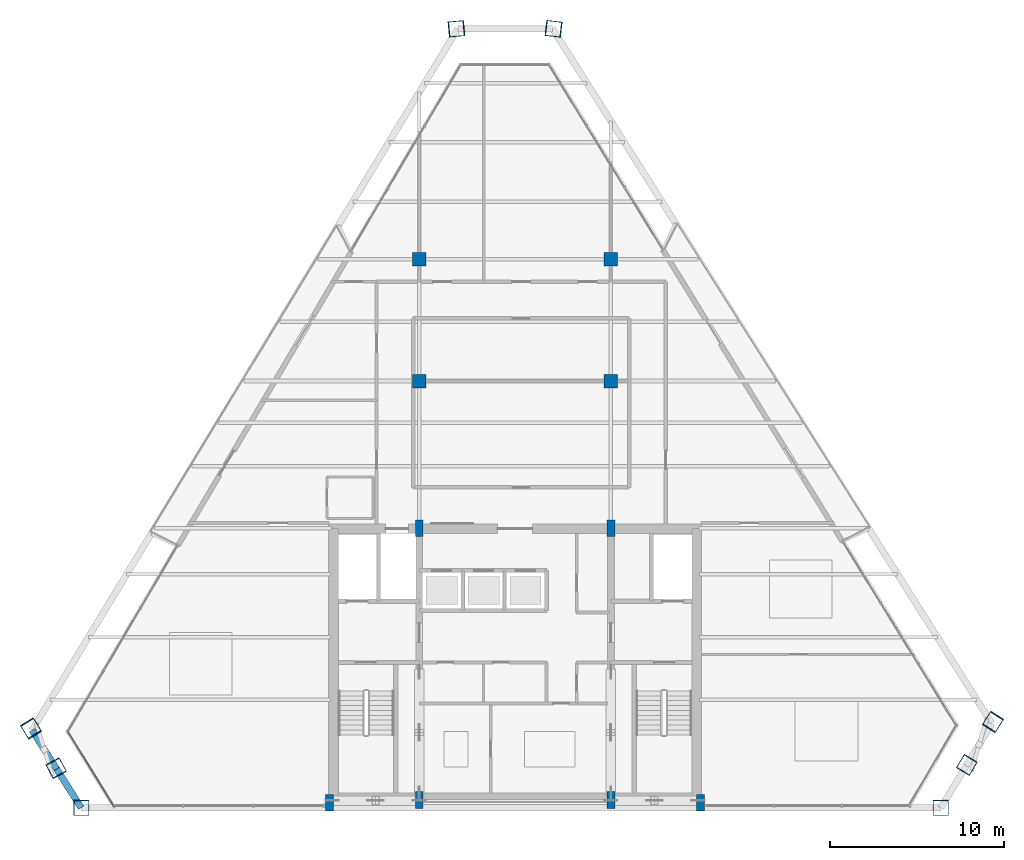
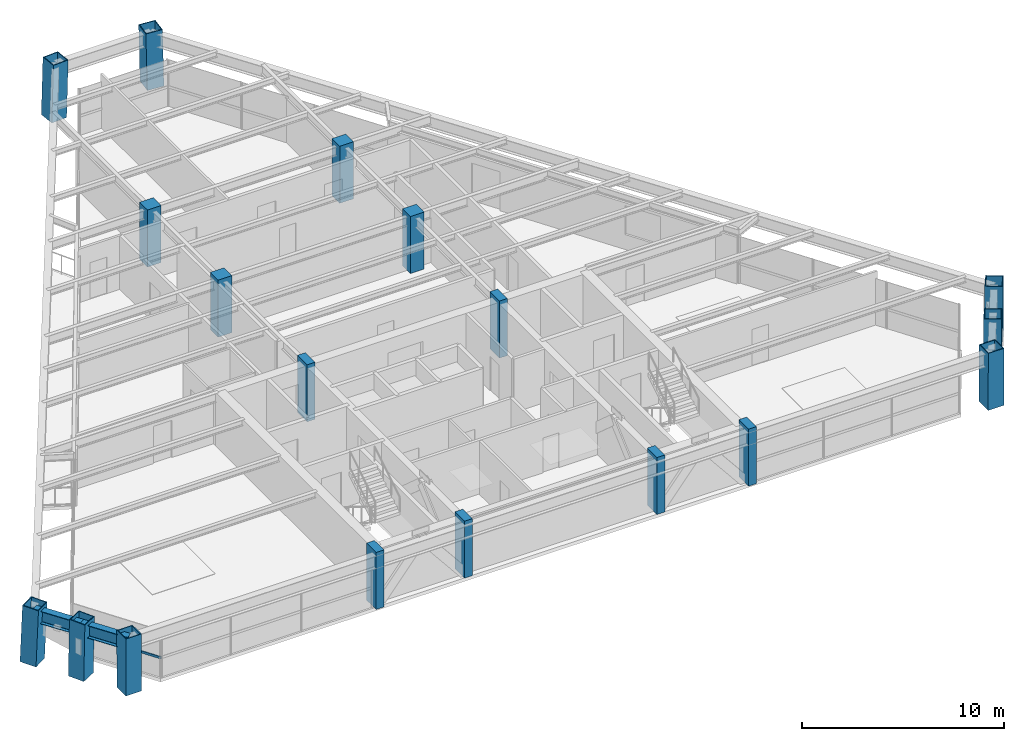
# One storey, part 1 of 14: 18 columns, 2 beams, 1 member, 1 element without a shape of its own.
"""IFC4 building model written with IfcOpenShell, lengths in metres."""

from ifc_helpers import new_model, si_unit, direction, frame, origin, origin_2d, place, context, subcontext, project, spatial, rectangle, hollow_rectangle, i_section, extrude, source, transform, mapped, material, material_profile, profile_set, type_object, element, aggregate, save


model = new_model("IFC4")

# Units and contexts
model_context = context("Model", 3, precision=1e-05, world=origin(), true_north=direction((0.0, 1.0)))
body_context = subcontext(model_context, "Body", "Model", "MODEL_VIEW")
ifc_project = project(units=[si_unit("LENGTHUNIT", "METRE"), si_unit("AREAUNIT", "SQUARE_METRE"), si_unit("VOLUMEUNIT", "CUBIC_METRE"), si_unit("PLANEANGLEUNIT", "RADIAN"), si_unit("MASSUNIT", "GRAM", prefix="KILO")], contexts=[model_context])

# Site, building, storey
site_placement = place(None, origin())
site = spatial("IfcSite", under=ifc_project, at=site_placement, CompositionType="ELEMENT")
building_placement = place(site_placement, origin())
building = spatial("IfcBuilding", under=site, at=building_placement, Name="Varnakhor Terracotta Tower", CompositionType="ELEMENT")
storey_placement = place(building_placement, frame((0.0, 0.0, 240.699951171875)))
storey = spatial("IfcBuildingStorey", under=building, at=storey_placement, Name="L62", CompositionType="ELEMENT", Elevation=240.699951171875)

# Columns
ifc_material_1 = material(Name="Concrete C50/60", Category="concrete")
ifc_material_profile_1 = material_profile(ifc_material_1, rectangle(XDim=0.449951171875, YDim=0.949951171875, at=origin_2d()), Name="RC PILASTER 950x450")
ifc_profile_set_1 = profile_set([ifc_material_profile_1], Name="Concrete C50/60")
column_type_1 = type_object("IfcColumnType", Name="COL-PIL-950x450", PredefinedType="PILASTER", material=ifc_profile_set_1)
shared_shape_1 = source(origin(), body_context, "Body", "SweptSolid", [
    extrude(rectangle(XDim=0.449951171875, YDim=0.949951171875, at=origin_2d()), origin(), (0.0, 0.0, 1.0), 3.449951171875),
])
for number, where, z_axis, x_axis, name in (
    (1, (-10.64990234375, 0.300048828125, 0.0), (0.0, 0.0, 1.0), (1.0, 0.0, 0.0), "L62 Core Pilaster CP1"),
    (2, (-5.5, 0.449951171875, 0.0), (0.0, 0.0, 1.0), (1.0, 0.0, 0.0), "L62 Core Pilaster CP2"),
    (3, (5.5, 0.449951171875, 0.0), (0.0, 0.0, 1.0), (1.0, 0.0, 0.0), "L62 Core Pilaster CP3"),
    (4, (10.64990234375, 0.300048828125, 0.0), (0.0, 0.0, 1.0), (1.0, 0.0, 0.0), "L62 Core Pilaster CP4"),
    (5, (-5.5, 16.050048828125, 0.0), (0.0, 0.0, 1.0), (1.0, 0.0, 0.0), "L62 Core Pilaster CP5"),
    (6, (5.5, 16.050048828125, 0.0), (0.0, 0.0, 1.0), (1.0, 0.0, 0.0), "L62 Core Pilaster CP6"),
):
    element("IfcColumn", number, at=place(storey_placement, frame(where, z_axis=z_axis, x_axis=x_axis)), inside=storey, type_object=column_type_1, Name=name, PredefinedType="PILASTER", context=body_context, shape_type="MappedRepresentation", body=[
        mapped(shared_shape_1, transform((0.0, 0.0, 0.0), scale=1.0)),
    ])
ifc_material_2 = material(Name="Steel S460", Category="steel")
ifc_material_profile_2 = material_profile(ifc_material_2, hollow_rectangle(XDim=0.89990234375, YDim=0.89990234375, WallThickness=0.044921875, at=origin_2d()), Name="BOX 900x900x45")
ifc_profile_set_2 = profile_set([ifc_material_profile_2], Name="Steel S460")
column_type_2 = type_object("IfcColumnType", Name="COL-MEGA-900", PredefinedType="COLUMN", material=ifc_profile_set_2)
shared_shape_2 = source(origin(), body_context, "Body", "SweptSolid", [
    extrude(hollow_rectangle(XDim=0.89990234375, YDim=0.89990234375, WallThickness=0.044921875, at=origin_2d()), origin(), (0.0, 0.0, 1.0), 3.441162109375),
])
for number, where, z_axis, x_axis, name in (
    (7, (-24.896484375, 0.0, 0.00439453125), (-0.002837874348, 0.0, 0.999995973226), (0.0, -1.0, 0.0), "L62 Perimeter Mega-Column M1"),
    (8, (24.434814453125, 0.0, 0.00439453125), (0.000993259531, 0.0, 0.999999506718), (1.0, 0.0, 0.0), "L62 Perimeter Mega-Column M2"),
):
    element("IfcColumn", number, at=place(storey_placement, frame(where, z_axis=z_axis, x_axis=x_axis)), inside=storey, type_object=column_type_2, Name=name, PredefinedType="COLUMN", context=body_context, shape_type="MappedRepresentation", body=[
        mapped(shared_shape_2, transform((0.0, 0.0, 0.0), scale=1.0)),
    ])
shared_shape_3 = source(origin(), body_context, "Body", "SweptSolid", [
    extrude(hollow_rectangle(XDim=0.89990234375, YDim=0.89990234375, WallThickness=0.044921875, at=origin_2d()), origin(), (0.0, 0.0, 1.0), 3.44189453125),
])
for number, where, z_axis, x_axis, name in (
    (9, (25.9404296875, 2.47509765625, 0.00439453125), (-0.009930776846, -0.016385781796, 0.999816426063), (0.855197831554, -0.518301716093, 0.0), "L62 Perimeter Mega-Column M3"),
    (10, (-26.348388671875, 2.289306640625, 0.00439453125), (0.009292293809, -0.017236850348, 0.99980825375), (0.880238364015, 0.474531792946, 0.0), "L62 Perimeter Mega-Column M8"),
):
    element("IfcColumn", number, at=place(storey_placement, frame(where, z_axis=z_axis, x_axis=x_axis)), inside=storey, type_object=column_type_2, Name=name, PredefinedType="COLUMN", context=body_context, shape_type="MappedRepresentation", body=[
        mapped(shared_shape_3, transform((0.0, 0.0, 0.0), scale=1.0)),
    ])
shared_shape_4 = source(origin(), body_context, "Body", "SweptSolid", [
    extrude(hollow_rectangle(XDim=0.89990234375, YDim=0.89990234375, WallThickness=0.044921875, at=origin_2d()), origin(), (0.0, 0.0, 1.0), 3.44384765625),
])
column_1_placement = place(storey_placement, frame((27.44580078125, 4.9501953125, 0.00439453125), z_axis=(-0.020771921056, -0.032682101047, 0.999249922475), x_axis=(0.843962885368, -0.536401573564, 0.0)))
element("IfcColumn", 11, at=column_1_placement, inside=storey, type_object=column_type_2, Name="L62 Perimeter Mega-Column M4", PredefinedType="COLUMN", context=body_context, shape_type="MappedRepresentation", body=[
    mapped(shared_shape_4, transform((0.0, 0.0, 0.0), scale=1.0)),
])
shared_shape_5 = source(origin(), body_context, "Body", "SweptSolid", [
    extrude(hollow_rectangle(XDim=0.89990234375, YDim=0.89990234375, WallThickness=0.044921875, at=origin_2d()), origin(), (0.0, 0.0, 1.0), 3.442138671875),
])
column_2_placement = place(storey_placement, frame((2.224365234375, 44.72021484375, 0.00439453125), z_axis=(-0.022555378665, 0.002553439094, 0.999742334225), x_axis=(-0.112489015281, -0.993652968315, 0.0)))
element("IfcColumn", 12, at=column_2_placement, inside=storey, type_object=column_type_2, Name="L62 Perimeter Mega-Column M5", PredefinedType="COLUMN", context=body_context, shape_type="MappedRepresentation", body=[
    mapped(shared_shape_5, transform((0.0, 0.0, 0.0), scale=1.0)),
])
shared_shape_6 = source(origin(), body_context, "Body", "SweptSolid", [
    extrude(hollow_rectangle(XDim=0.89990234375, YDim=0.89990234375, WallThickness=0.044921875, at=origin_2d()), origin(), (0.0, 0.0, 1.0), 3.444091796875),
])
column_3_placement = place(storey_placement, frame((-27.80029296875, 4.57861328125, 0.00439453125), z_axis=(0.021337548263, -0.034451988225, 0.999178547379), x_axis=(0.850153287859, 0.52653526676, 0.0)))
element("IfcColumn", 13, at=column_3_placement, inside=storey, type_object=column_type_2, Name="L62 Perimeter Mega-Column M7", PredefinedType="COLUMN", context=body_context, shape_type="MappedRepresentation", body=[
    mapped(shared_shape_6, transform((0.0, 0.0, 0.0), scale=1.0)),
])
ifc_material_profile_3 = material_profile(ifc_material_1, rectangle(XDim=0.780029296875, YDim=0.780029296875, at=origin_2d()), Name="RC 780x780")
ifc_profile_set_3 = profile_set([ifc_material_profile_3], Name="Concrete C50/60")
column_type_3 = type_object("IfcColumnType", Name="COL-RC-780", PredefinedType="COLUMN", material=ifc_profile_set_3)
shared_shape_7 = source(origin(), body_context, "Body", "SweptSolid", [
    extrude(rectangle(XDim=0.780029296875, YDim=0.780029296875, at=origin_2d()), origin(), (0.0, 0.0, 1.0), 3.449951171875),
])
for number, where, z_axis, x_axis, name in (
    (14, (-5.5, 24.5, 0.0), (0.0, 0.0, 1.0), (1.0, 0.0, 0.0), "L62 Interior Tower Column IC1"),
    (15, (5.5, 24.5, 0.0), (0.0, 0.0, 1.0), (1.0, 0.0, 0.0), "L62 Interior Tower Column IC2"),
    (16, (-5.5, 31.5, 0.0), (0.0, 0.0, 1.0), (1.0, 0.0, 0.0), "L62 Interior Tower Column IC3"),
    (17, (5.5, 31.5, 0.0), (0.0, 0.0, 1.0), (1.0, 0.0, 0.0), "L62 Interior Tower Column IC4"),
):
    element("IfcColumn", number, at=place(storey_placement, frame(where, z_axis=z_axis, x_axis=x_axis)), inside=storey, type_object=column_type_3, Name=name, PredefinedType="COLUMN", context=body_context, shape_type="MappedRepresentation", body=[
        mapped(shared_shape_7, transform((0.0, 0.0, 0.0), scale=1.0)),
    ])
shared_shape_8 = source(origin(), body_context, "Body", "SweptSolid", [
    extrude(hollow_rectangle(XDim=0.89990234375, YDim=0.89990234375, WallThickness=0.044921875, at=origin_2d()), origin(), (0.0, 0.0, 1.0), 3.442626953125),
])
column_4_placement = place(storey_placement, frame((-3.38330078125, 44.72021484375, 0.00439453125), z_axis=(0.027942169187, 0.002553091601, 0.999606280945), x_axis=(-0.090991522878, 0.995851667049, 0.0)))
element("IfcColumn", 18, at=column_4_placement, inside=storey, type_object=column_type_2, Name="L62 Perimeter Mega-Column M6", PredefinedType="COLUMN", context=body_context, shape_type="MappedRepresentation", body=[
    mapped(shared_shape_8, transform((0.0, 0.0, 0.0), scale=1.0)),
])

# Beams
ifc_material_3 = material(Name="Steel S355", Category="steel")
ifc_material_profile_4 = material_profile(ifc_material_3, i_section(OverallWidth=0.381103515625, OverallDepth=0.77294921875, WebThickness=0.01708984375, FlangeThickness=0.027099609375, FilletRadius=0.01806640625, at=origin_2d()), Name="W30X173")
ifc_profile_set_4 = profile_set([ifc_material_profile_4], Name="Steel S355")
beam_type = type_object("IfcBeamType", Name="BM-W30X173", PredefinedType="BEAM", material=ifc_profile_set_4)
shared_shape_9 = source(origin(), body_context, "Body", "SweptSolid", [
    extrude(i_section(OverallWidth=0.381103515625, OverallDepth=0.77294921875, WebThickness=0.01708984375, FlangeThickness=0.027099609375, FilletRadius=0.01806640625, at=origin_2d()), origin(), (0.0, 0.0, 1.0), 2.638671875),
])
beam_1_placement = place(storey_placement, frame((-27.726806640625, 4.4599609375, 2.853515625), z_axis=(0.534532474822, -0.845147935784, 0.0), x_axis=(0.845147935784, 0.534532474822, 0.0)))
element("IfcBeam", 19, at=beam_1_placement, inside=storey, type_object=beam_type, Name="L62 Perimeter Spandrel 7", PredefinedType="BEAM", context=body_context, shape_type="MappedRepresentation", body=[
    mapped(shared_shape_9, transform((0.0, 0.0, 0.0), scale=1.0)),
])
shared_shape_10 = source(origin(), body_context, "Body", "SweptSolid", [
    extrude(i_section(OverallWidth=0.381103515625, OverallDepth=0.77294921875, WebThickness=0.01708984375, FlangeThickness=0.027099609375, FilletRadius=0.01806640625, at=origin_2d()), origin(), (0.0, 0.0, 1.0), 2.638427734375),
])
beam_2_placement = place(storey_placement, frame((-26.31640625, 2.22998046875, 2.853515625), z_axis=(0.534466379699, -0.845189735486, 0.0), x_axis=(0.845189735486, 0.534466379699, 0.0)))
element("IfcBeam", 20, at=beam_2_placement, inside=storey, type_object=beam_type, Name="L62 Perimeter Spandrel 8", PredefinedType="BEAM", context=body_context, shape_type="MappedRepresentation", body=[
    mapped(shared_shape_10, transform((0.0, 0.0, 0.0), scale=1.0)),
])

# Curtain wall, member
ifc_material_4 = material(Name="Anodised Aluminium Curtain Wall System", Category="aluminium")
curtain_wall_type = type_object("IfcCurtainWallType", Name="CW-SYS-HOTEL-LOGGIA", PredefinedType="NOTDEFINED", material=ifc_material_4)
curtain_wall_placement = place(storey_placement, origin())
curtain_wall = element("IfcCurtainWall", 21, at=curtain_wall_placement, inside=storey, type_object=curtain_wall_type, Name="L62 Facet Curtain Wall 6", PredefinedType="NOTDEFINED")
ifc_material_5 = material(Name="Anodised Aluminium 6063-T6", Category="aluminium")
ifc_material_profile_5 = material_profile(ifc_material_5, rectangle(XDim=0.06494140625, YDim=0.14501953125, at=origin_2d()), Name="ALU TRANSOM 65x145")
ifc_profile_set_5 = profile_set([ifc_material_profile_5], Name="Anodised Aluminium 6063-T6")
member_type = type_object("IfcMemberType", Name="CWT-04", PredefinedType="USERDEFINED", material=ifc_profile_set_5)
shared_shape_11 = source(origin(), body_context, "Body", "SweptSolid", [
    extrude(rectangle(XDim=0.06494140625, YDim=0.14501953125, at=origin_2d()), origin(), (0.0, 0.0, 1.0), 5.083740234375),
])
member_placement = place(storey_placement, frame((-23.019287109375, 0.08837890625, 1.1845703125), z_axis=(-0.524748366753, 0.851257394441, 0.0), x_axis=(-0.851257394441, -0.524748366753, 0.0)))
member = element("IfcMember", 22, at=member_placement, type_object=member_type, Name="L62 Facet Curtain Wall 6 Transom 1", ObjectType="TRANSOM", PredefinedType="USERDEFINED", context=body_context, shape_type="MappedRepresentation", body=[
    mapped(shared_shape_11, transform((0.0, 0.0, 0.0), scale=1.0)),
])
aggregate(curtain_wall, [member])

save(model, "model.ifc")
